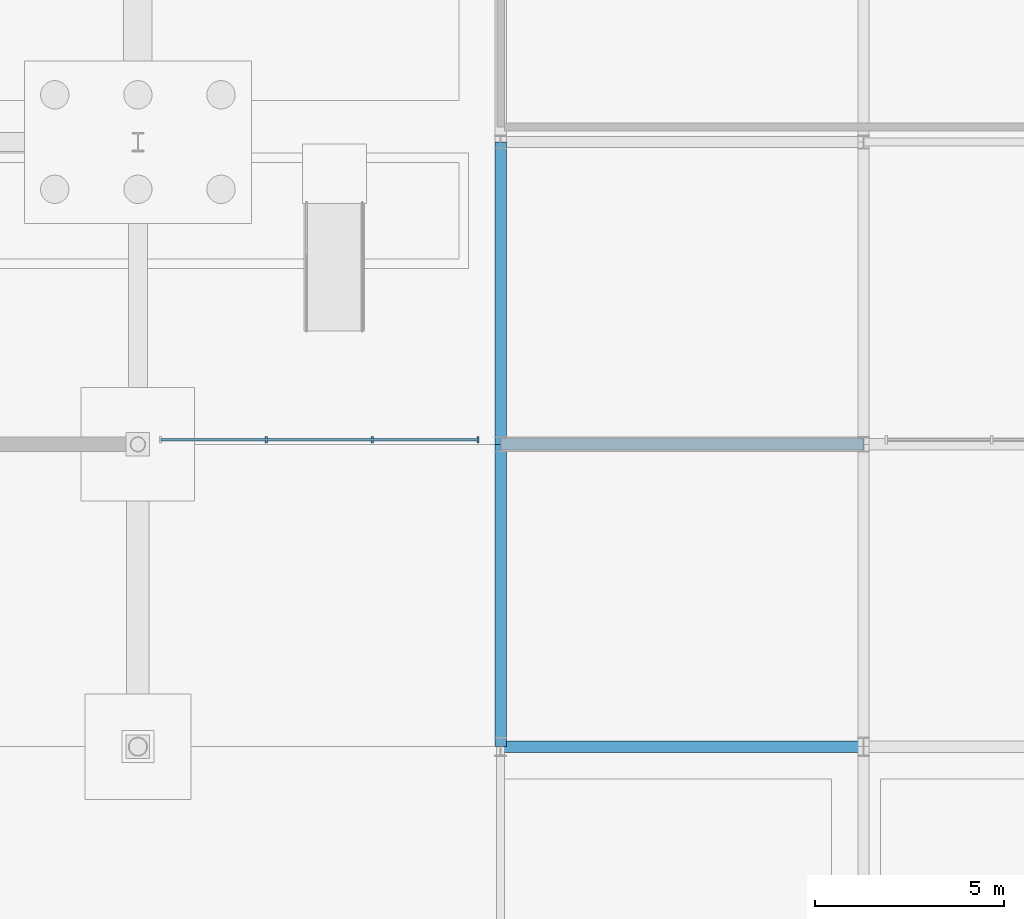
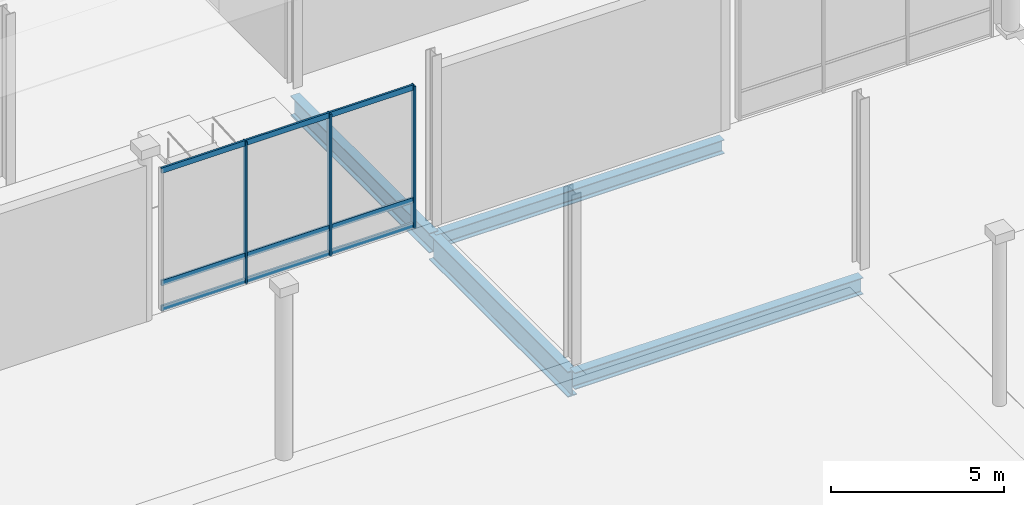
# One storey, part 62 of 124: 6 members, 4 beams, 1 element without a shape of its own.
"""IFC4 building model written with IfcOpenShell, lengths in metres."""

from ifc_helpers import new_model, si_unit, direction, frame, origin, origin_2d, place, context, subcontext, project, spatial, rectangle, i_section, extrude, material, material_profile, profile_set, type_object, element, aggregate, save


model = new_model("IFC4")

# Units and contexts
model_context = context("Model", 3, precision=1e-05, world=origin(), true_north=direction((0.0, 1.0)))
body_context = subcontext(model_context, "Body", "Model", "MODEL_VIEW")
ifc_project = project(units=[si_unit("LENGTHUNIT", "METRE"), si_unit("AREAUNIT", "SQUARE_METRE"), si_unit("VOLUMEUNIT", "CUBIC_METRE"), si_unit("PLANEANGLEUNIT", "RADIAN"), si_unit("MASSUNIT", "GRAM", prefix="KILO")], contexts=[model_context])

# Site, building, storey
site_placement = place(None, origin())
site = spatial("IfcSite", under=ifc_project, at=site_placement, CompositionType="ELEMENT")
building_placement = place(site_placement, origin())
building = spatial("IfcBuilding", under=site, at=building_placement, Name="Danafjord Basin Convention Centre", CompositionType="ELEMENT")
storey_placement = place(building_placement, origin())
storey = spatial("IfcBuildingStorey", under=building, at=storey_placement, Name="L00", CompositionType="ELEMENT", Elevation=0.0)

# Beams
ifc_material_1 = material(Name="Steel S355", Category="steel")
ifc_material_profile_1 = material_profile(ifc_material_1, i_section(OverallWidth=0.300048828125, OverallDepth=0.489990234375, WebThickness=0.011962890625, FlangeThickness=0.02294921875, FilletRadius=0.027099609375, at=origin_2d()), Name="HEA 500")
ifc_profile_set_1 = profile_set([ifc_material_profile_1], Name="Steel S355")
beam_type_1 = type_object("IfcBeamType", Name="BEAM-BM-HEA500", PredefinedType="BEAM", material=ifc_profile_set_1)
beam_1_placement = place(storey_placement, frame((182.39990234375, 88.0, -0.60498046875), z_axis=(1.0, 0.0, 0.0), x_axis=(0.0, 1.0, 0.0)))
element("IfcBeam", 1, at=beam_1_placement, inside=storey, type_object=beam_type_1, Name="L00 girder BM-HEA500", PredefinedType="BEAM", context=body_context, shape_type="SweptSolid", body=[
    extrude(i_section(OverallWidth=0.300048828125, OverallDepth=0.489990234375, WebThickness=0.011962890625, FlangeThickness=0.02294921875, FilletRadius=0.027099609375, at=origin_2d()), origin(), (0.0, 0.0, 1.0), 9.60009765625),
])
ifc_material_profile_2 = material_profile(ifc_material_1, i_section(OverallWidth=0.300048828125, OverallDepth=0.590087890625, WebThickness=0.012939453125, FlangeThickness=0.02490234375, FilletRadius=0.027099609375, at=origin_2d()), Name="HEA 600")
ifc_profile_set_2 = profile_set([ifc_material_profile_2], Name="Steel S355")
beam_type_2 = type_object("IfcBeamType", Name="BEAM-BM-HEA600", PredefinedType="BEAM", material=ifc_profile_set_2)
beam_2_placement = place(storey_placement, frame((182.39990234375, 80.0, -0.655029296875), z_axis=(1.0, 0.0, 0.0), x_axis=(0.0, 1.0, 0.0)))
element("IfcBeam", 2, at=beam_2_placement, inside=storey, type_object=beam_type_2, Name="L00 girder BM-HEA600", PredefinedType="BEAM", context=body_context, shape_type="SweptSolid", body=[
    extrude(i_section(OverallWidth=0.300048828125, OverallDepth=0.590087890625, WebThickness=0.012939453125, FlangeThickness=0.02490234375, FilletRadius=0.027099609375, at=origin_2d()), origin(), (0.0, 0.0, 1.0), 9.60009765625),
])
ifc_material_profile_3 = material_profile(ifc_material_1, i_section(OverallWidth=0.300048828125, OverallDepth=0.699951171875, WebThickness=0.01708984375, FlangeThickness=0.031982421875, FilletRadius=0.027099609375, at=origin_2d()), Name="HEB 700")
ifc_profile_set_3 = profile_set([ifc_material_profile_3], Name="Steel S355")
beam_type_3 = type_object("IfcBeamType", Name="BEAM-BM-HEB700", PredefinedType="BEAM", material=ifc_profile_set_3)
beam_3_placement = place(storey_placement, frame((182.39990234375, 88.0, -0.68994140625), z_axis=(0.0, 1.0, 0.0), x_axis=(-1.0, 0.0, 0.0)))
element("IfcBeam", 3, at=beam_3_placement, inside=storey, type_object=beam_type_3, Name="L00 transverse girder BM-HEB700", PredefinedType="BEAM", context=body_context, shape_type="SweptSolid", body=[
    extrude(i_section(OverallWidth=0.300048828125, OverallDepth=0.699951171875, WebThickness=0.01708984375, FlangeThickness=0.031982421875, FilletRadius=0.027099609375, at=origin_2d()), origin(), (0.0, 0.0, 1.0), 8.0),
])
ifc_material_profile_4 = material_profile(ifc_material_1, i_section(OverallWidth=0.300048828125, OverallDepth=0.89990234375, WebThickness=0.0185546875, FlangeThickness=0.034912109375, FilletRadius=0.030029296875, at=origin_2d()), Name="HEB 900")
ifc_profile_set_4 = profile_set([ifc_material_profile_4], Name="Steel S355")
beam_type_4 = type_object("IfcBeamType", Name="BEAM-BM-HEB900", PredefinedType="BEAM", material=ifc_profile_set_4)
beam_4_placement = place(storey_placement, frame((182.39990234375, 80.0, -0.81005859375), z_axis=(0.0, 1.0, 0.0), x_axis=(-1.0, 0.0, 0.0)))
element("IfcBeam", 4, at=beam_4_placement, inside=storey, type_object=beam_type_4, Name="L00 transverse girder BM-HEB900", PredefinedType="BEAM", context=body_context, shape_type="SweptSolid", body=[
    extrude(i_section(OverallWidth=0.300048828125, OverallDepth=0.89990234375, WebThickness=0.0185546875, FlangeThickness=0.034912109375, FilletRadius=0.030029296875, at=origin_2d()), origin(), (0.0, 0.0, 1.0), 8.0),
])

# Curtain wall, members
ifc_material_2 = material(Name="Anodised aluminium and triple glazing", Category="aluminium")
curtain_wall_type = type_object("IfcCurtainWallType", Name="CW-CW-DRUM", PredefinedType="NOTDEFINED", material=ifc_material_2)
curtain_wall_placement = place(storey_placement, origin())
curtain_wall = element("IfcCurtainWall", 5, at=curtain_wall_placement, inside=storey, type_object=curtain_wall_type, Name="L00 CW-DRUM unitised curtain wall bay 116", PredefinedType="NOTDEFINED")
ifc_material_3 = material(Name="Anodised aluminium EN AW-6060", Category="aluminium")
ifc_material_profile_5 = material_profile(ifc_material_3, rectangle(XDim=0.06005859375, YDim=0.179931640625, at=origin_2d()), Name="MULL 60x180")
ifc_profile_set_5 = profile_set([ifc_material_profile_5], Name="Anodised aluminium EN AW-6060")
member_type_1 = type_object("IfcMemberType", Name="MEM-ML-180", PredefinedType="MULLION", material=ifc_profile_set_5)
member_1_placement = place(storey_placement, frame((176.199951171875, 88.1201171875, -0.02490234375), z_axis=(0.0, 0.0, 1.0), x_axis=(1.0, 0.0, 0.0)))
member_1 = element("IfcMember", 6, at=member_1_placement, type_object=member_type_1, Name="CW-L00-116 mullion 2", PredefinedType="MULLION", context=body_context, shape_type="SweptSolid", body=[
    extrude(rectangle(XDim=0.06005859375, YDim=0.179931640625, at=origin_2d()), origin(), (0.0, 0.0, 1.0), 5.0048828125),
])
member_2_placement = place(storey_placement, frame((179.0, 88.1201171875, -0.02490234375), z_axis=(0.0, 0.0, 1.0), x_axis=(1.0, 0.0, 0.0)))
member_2 = element("IfcMember", 7, at=member_2_placement, type_object=member_type_1, Name="CW-L00-116 mullion 3", PredefinedType="MULLION", context=body_context, shape_type="SweptSolid", body=[
    extrude(rectangle(XDim=0.06005859375, YDim=0.179931640625, at=origin_2d()), origin(), (0.0, 0.0, 1.0), 5.0048828125),
])
member_3_placement = place(storey_placement, frame((181.800048828125, 88.1201171875, -0.02490234375), z_axis=(0.0, 0.0, 1.0), x_axis=(1.0, 0.0, 0.0)))
member_3 = element("IfcMember", 8, at=member_3_placement, type_object=member_type_1, Name="CW-L00-116 mullion 4", PredefinedType="MULLION", context=body_context, shape_type="SweptSolid", body=[
    extrude(rectangle(XDim=0.06005859375, YDim=0.179931640625, at=origin_2d()), origin(), (0.0, 0.0, 1.0), 5.0048828125),
])
ifc_material_profile_6 = material_profile(ifc_material_3, rectangle(XDim=0.06494140625, YDim=0.18994140625, at=origin_2d()), Name="TRAN 65x190")
ifc_profile_set_6 = profile_set([ifc_material_profile_6], Name="Anodised aluminium EN AW-6060")
member_type_2 = type_object("IfcMemberType", Name="MEM-TR-190", PredefinedType="USERDEFINED", material=ifc_profile_set_6)
member_4_placement = place(storey_placement, frame((173.39990234375, 88.1201171875, 0.06005859375), z_axis=(1.0, 0.0, 0.0), x_axis=(0.0, 1.0, 0.0)))
member_4 = element("IfcMember", 9, at=member_4_placement, type_object=member_type_2, Name="CW-L00-116 transom 1", ObjectType="TRANSOM", PredefinedType="USERDEFINED", context=body_context, shape_type="SweptSolid", body=[
    extrude(rectangle(XDim=0.06494140625, YDim=0.18994140625, at=origin_2d()), origin(), (0.0, 0.0, 1.0), 8.400146484375),
])
member_5_placement = place(storey_placement, frame((173.39990234375, 88.1201171875, 0.949951171875), z_axis=(1.0, 0.0, 0.0), x_axis=(0.0, 1.0, 0.0)))
member_5 = element("IfcMember", 10, at=member_5_placement, type_object=member_type_2, Name="CW-L00-116 transom 2", ObjectType="TRANSOM", PredefinedType="USERDEFINED", context=body_context, shape_type="SweptSolid", body=[
    extrude(rectangle(XDim=0.06494140625, YDim=0.18994140625, at=origin_2d()), origin(), (0.0, 0.0, 1.0), 8.400146484375),
])
member_6_placement = place(storey_placement, frame((173.39990234375, 88.1201171875, 4.909912109375), z_axis=(1.0, 0.0, 0.0), x_axis=(0.0, 1.0, 0.0)))
member_6 = element("IfcMember", 11, at=member_6_placement, type_object=member_type_2, Name="CW-L00-116 transom 3", ObjectType="TRANSOM", PredefinedType="USERDEFINED", context=body_context, shape_type="SweptSolid", body=[
    extrude(rectangle(XDim=0.06494140625, YDim=0.18994140625, at=origin_2d()), origin(), (0.0, 0.0, 1.0), 8.400146484375),
])
aggregate(curtain_wall, [member_1, member_2, member_3, member_4, member_5, member_6])

save(model, "model.ifc")
